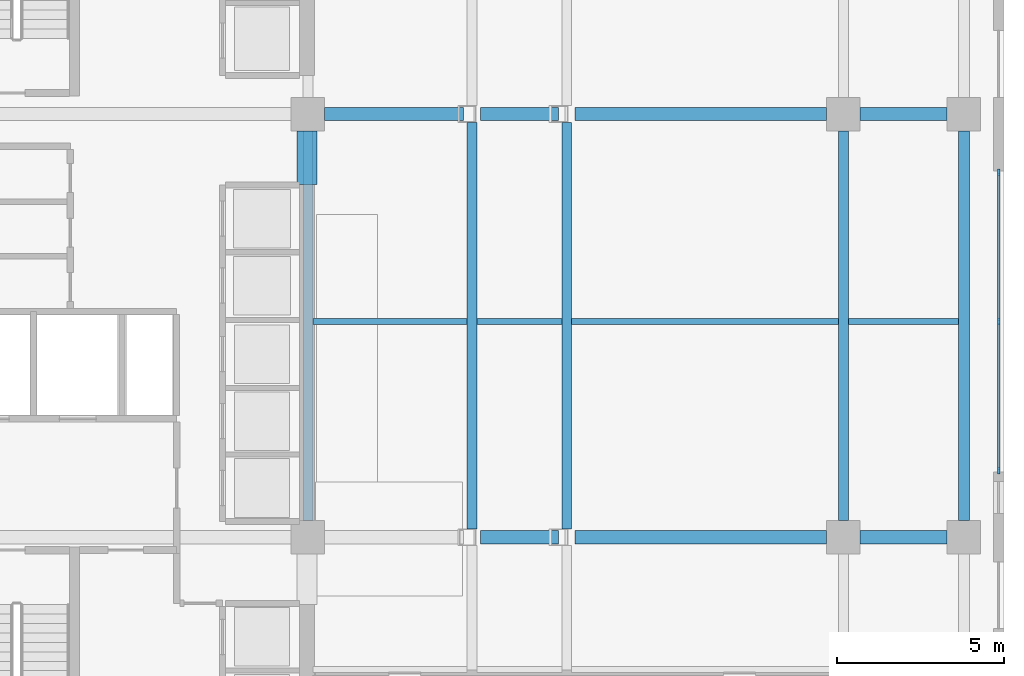
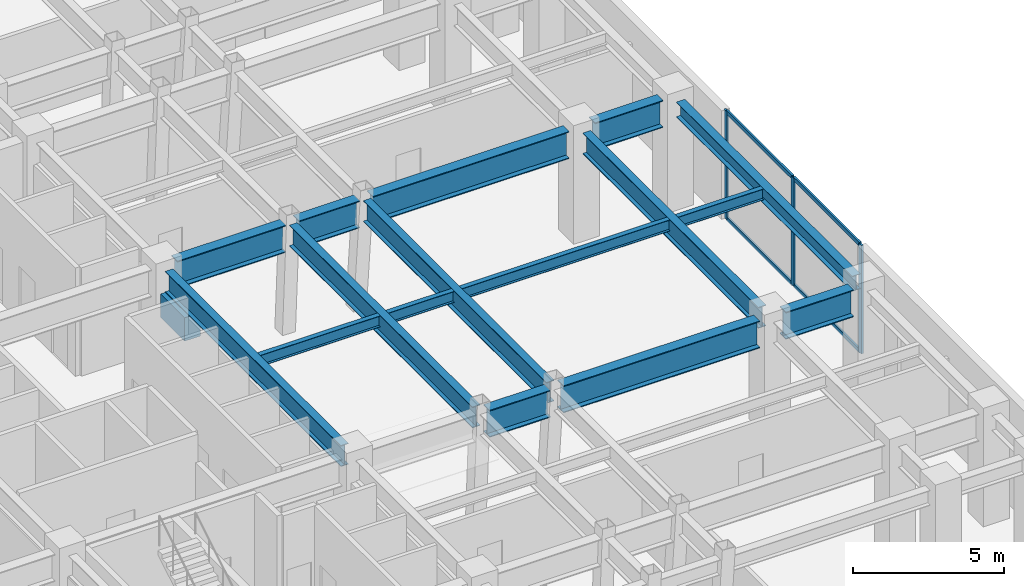
# One storey, part 5 of 13: 17 beams, 7 members, 1 element without a shape of its own.
"""IFC4 building model written with IfcOpenShell, lengths in metres."""

from ifc_helpers import new_model, si_unit, direction, frame, origin, origin_2d, place, context, subcontext, project, spatial, rectangle, i_section, extrude, material, layer, layer_set, material_profile, profile_set, type_object, element, aggregate, save


model = new_model("IFC4")

# Units and contexts
model_context = context("Model", 3, precision=1e-05, world=origin(), true_north=direction((0.0, 1.0)))
body_context = subcontext(model_context, "Body", "Model", "MODEL_VIEW")
ifc_project = project(units=[si_unit("LENGTHUNIT", "METRE"), si_unit("AREAUNIT", "SQUARE_METRE"), si_unit("VOLUMEUNIT", "CUBIC_METRE"), si_unit("PLANEANGLEUNIT", "RADIAN"), si_unit("MASSUNIT", "GRAM", prefix="KILO")], contexts=[model_context])

# Site, building, storey
site_placement = place(None, origin())
site = spatial("IfcSite", under=ifc_project, at=site_placement, CompositionType="ELEMENT")
building_placement = place(site_placement, origin())
building = spatial("IfcBuilding", under=site, at=building_placement, Name="Ochreholt Gables", CompositionType="ELEMENT")
storey_placement = place(building_placement, origin())
storey = spatial("IfcBuildingStorey", under=building, at=storey_placement, Name="L00", CompositionType="ELEMENT", Elevation=0.0)

# Beams
ifc_material_1 = material(Name="Concrete 60 MPa", Category="concrete")
ifc_material_profile_1 = material_profile(ifc_material_1, rectangle(XDim=0.60009765625, YDim=0.949951171875, at=origin_2d()), Name="RCB600X950")
ifc_profile_set_1 = profile_set([ifc_material_profile_1], Name="Concrete 60 MPa")
beam_type_1 = type_object("IfcBeamType", Name="BM-CPL-RC600", PredefinedType="LINTEL", material=ifc_profile_set_1)
beam_1_placement = place(storey_placement, frame((35.175048828125, 28.10009765625, 3.06396484375), z_axis=(0.0, 1.0, 0.0), x_axis=(-1.0, 0.0, 0.0)))
element("IfcBeam", 1, at=beam_1_placement, inside=storey, type_object=beam_type_1, Name="L00 Core Coupling Lintel CPN", PredefinedType="LINTEL", context=body_context, shape_type="SweptSolid", body=[
    extrude(rectangle(XDim=0.60009765625, YDim=0.949951171875, at=origin_2d()), origin(), (0.0, 0.0, 1.0), 1.599853515625),
])
ifc_material_2 = material(Name="Steel CSA G40.21 350W", Category="steel")
ifc_material_profile_2 = material_profile(ifc_material_2, i_section(OverallWidth=0.39990234375, OverallDepth=1.10009765625, WebThickness=0.02001953125, FlangeThickness=0.035888671875, at=origin_2d()), Name="W1100X390")
ifc_profile_set_2 = profile_set([ifc_material_profile_2], Name="Steel CSA G40.21 350W")
beam_type_2 = type_object("IfcBeamType", Name="BM-G-W1100", PredefinedType="BEAM", material=ifc_profile_set_2)
beam_2_placement = place(storey_placement, frame((40.353515625, 17.550048828125, 3.840087890625), z_axis=(1.0, 0.0, 0.0), x_axis=(0.0, 1.0, 0.0)))
element("IfcBeam", 2, at=beam_2_placement, inside=storey, type_object=beam_type_2, Name="L00 Beam BG-L00-EMEE-Y3", PredefinedType="BEAM", context=body_context, shape_type="SweptSolid", body=[
    extrude(i_section(OverallWidth=0.39990234375, OverallDepth=1.10009765625, WebThickness=0.02001953125, FlangeThickness=0.035888671875, at=origin_2d()), origin(), (0.0, 0.0, 1.0), 2.33203125),
])
beam_3_placement = place(storey_placement, frame((43.184814453125, 17.550048828125, 3.840087890625), z_axis=(1.0, 0.0, 0.0), x_axis=(0.0, 1.0, 0.0)))
element("IfcBeam", 3, at=beam_3_placement, inside=storey, type_object=beam_type_2, Name="L00 Beam BG-L00-EEE3-Y3", PredefinedType="BEAM", context=body_context, shape_type="SweptSolid", body=[
    extrude(i_section(OverallWidth=0.39990234375, OverallDepth=1.10009765625, WebThickness=0.02001953125, FlangeThickness=0.035888671875, at=origin_2d()), origin(), (0.0, 0.0, 1.0), 7.515625),
])
beam_4_placement = place(storey_placement, frame((51.69970703125, 17.550048828125, 3.840087890625), z_axis=(1.0, 0.0, 0.0), x_axis=(0.0, 1.0, 0.0)))
element("IfcBeam", 4, at=beam_4_placement, inside=storey, type_object=beam_type_2, Name="L00 Beam BG-L00-E3E4-Y3", PredefinedType="BEAM", context=body_context, shape_type="SweptSolid", body=[
    extrude(i_section(OverallWidth=0.39990234375, OverallDepth=1.10009765625, WebThickness=0.02001953125, FlangeThickness=0.035888671875, at=origin_2d()), origin(), (0.0, 0.0, 1.0), 2.6005859375),
])
beam_5_placement = place(storey_placement, frame((35.69970703125, 30.199951171875, 3.840087890625), z_axis=(1.0, 0.0, 0.0), x_axis=(0.0, 1.0, 0.0)))
element("IfcBeam", 5, at=beam_5_placement, inside=storey, type_object=beam_type_2, Name="L00 Beam BG-L00-C2EM-Y4", PredefinedType="BEAM", context=body_context, shape_type="SweptSolid", body=[
    extrude(i_section(OverallWidth=0.39990234375, OverallDepth=1.10009765625, WebThickness=0.02001953125, FlangeThickness=0.035888671875, at=origin_2d()), origin(), (0.0, 0.0, 1.0), 4.15478515625),
])
beam_6_placement = place(storey_placement, frame((40.353515625, 30.199951171875, 3.840087890625), z_axis=(1.0, 0.0, 0.0), x_axis=(0.0, 1.0, 0.0)))
element("IfcBeam", 6, at=beam_6_placement, inside=storey, type_object=beam_type_2, Name="L00 Beam BG-L00-EMEE-Y4", PredefinedType="BEAM", context=body_context, shape_type="SweptSolid", body=[
    extrude(i_section(OverallWidth=0.39990234375, OverallDepth=1.10009765625, WebThickness=0.02001953125, FlangeThickness=0.035888671875, at=origin_2d()), origin(), (0.0, 0.0, 1.0), 2.33203125),
])
beam_7_placement = place(storey_placement, frame((43.184814453125, 30.199951171875, 3.840087890625), z_axis=(1.0, 0.0, 0.0), x_axis=(0.0, 1.0, 0.0)))
element("IfcBeam", 7, at=beam_7_placement, inside=storey, type_object=beam_type_2, Name="L00 Beam BG-L00-EEE3-Y4", PredefinedType="BEAM", context=body_context, shape_type="SweptSolid", body=[
    extrude(i_section(OverallWidth=0.39990234375, OverallDepth=1.10009765625, WebThickness=0.02001953125, FlangeThickness=0.035888671875, at=origin_2d()), origin(), (0.0, 0.0, 1.0), 7.515625),
])
beam_8_placement = place(storey_placement, frame((51.69970703125, 30.199951171875, 3.840087890625), z_axis=(1.0, 0.0, 0.0), x_axis=(0.0, 1.0, 0.0)))
element("IfcBeam", 8, at=beam_8_placement, inside=storey, type_object=beam_type_2, Name="L00 Beam BG-L00-E3E4-Y4", PredefinedType="BEAM", context=body_context, shape_type="SweptSolid", body=[
    extrude(i_section(OverallWidth=0.39990234375, OverallDepth=1.10009765625, WebThickness=0.02001953125, FlangeThickness=0.035888671875, at=origin_2d()), origin(), (0.0, 0.0, 1.0), 2.6005859375),
])
ifc_material_profile_3 = material_profile(ifc_material_2, i_section(OverallWidth=0.2939453125, OverallDepth=0.85107421875, WebThickness=0.01611328125, FlangeThickness=0.02685546875, at=origin_2d()), Name="W840X226")
ifc_profile_set_3 = profile_set([ifc_material_profile_3], Name="Steel CSA G40.21 350W")
beam_type_3 = type_object("IfcBeamType", Name="BM-G-W840", PredefinedType="BEAM", material=ifc_profile_set_3)
beam_9_placement = place(storey_placement, frame((35.199951171875, 18.049560546875, 3.964599609375), z_axis=(0.0, 1.0, 0.0), x_axis=(-1.0, 0.0, 0.0)))
element("IfcBeam", 9, at=beam_9_placement, inside=storey, type_object=beam_type_3, Name="L00 Beam BG-L00-C2-Y3Y4", PredefinedType="BEAM", context=body_context, shape_type="SweptSolid", body=[
    extrude(i_section(OverallWidth=0.2939453125, OverallDepth=0.85107421875, WebThickness=0.01611328125, FlangeThickness=0.02685546875, at=origin_2d()), origin(), (0.0, 0.0, 1.0), 11.65087890625),
])
for number, where, z_axis, x_axis, name in (
    (10, (40.10400390625, 17.799560546875, 3.964599609375), (0.0, 1.0, 0.0), (-1.0, 0.0, 0.0), "L00 Beam BG-L00-EM-Y3Y4"),
    (11, (42.935302734375, 17.799560546875, 3.964599609375), (0.0, 1.0, 0.0), (-1.0, 0.0, 0.0), "L00 Beam BG-L00-EE-Y3Y4"),
):
    element("IfcBeam", number, at=place(storey_placement, frame(where, z_axis=z_axis, x_axis=x_axis)), inside=storey, type_object=beam_type_3, Name=name, PredefinedType="BEAM", context=body_context, shape_type="SweptSolid", body=[
        extrude(i_section(OverallWidth=0.2939453125, OverallDepth=0.85107421875, WebThickness=0.01611328125, FlangeThickness=0.02685546875, at=origin_2d()), origin(), (0.0, 0.0, 1.0), 12.15087890625),
    ])
beam_10_placement = place(storey_placement, frame((51.199951171875, 18.049560546875, 3.964599609375), z_axis=(0.0, 1.0, 0.0), x_axis=(-1.0, 0.0, 0.0)))
element("IfcBeam", 12, at=beam_10_placement, inside=storey, type_object=beam_type_3, Name="L00 Beam BG-L00-E3-Y3Y4", PredefinedType="BEAM", context=body_context, shape_type="SweptSolid", body=[
    extrude(i_section(OverallWidth=0.2939453125, OverallDepth=0.85107421875, WebThickness=0.01611328125, FlangeThickness=0.02685546875, at=origin_2d()), origin(), (0.0, 0.0, 1.0), 11.65087890625),
])
ifc_material_profile_4 = material_profile(ifc_material_2, i_section(OverallWidth=0.18994140625, OverallDepth=0.45703125, WebThickness=0.009033203125, FlangeThickness=0.014404296875, at=origin_2d()), Name="W460X74")
ifc_profile_set_4 = profile_set([ifc_material_profile_4], Name="Steel CSA G40.21 350W")
beam_type_4 = type_object("IfcBeamType", Name="BM-J-W460B", PredefinedType="JOIST", material=ifc_profile_set_4)
beam_11_placement = place(storey_placement, frame((35.3466796875, 24.0, 4.16162109375), z_axis=(1.0, 0.0, 0.0), x_axis=(0.0, 1.0, 0.0)))
element("IfcBeam", 13, at=beam_11_placement, inside=storey, type_object=beam_type_4, Name="L00 Beam BJ-L00-J2-C2EM", PredefinedType="JOIST", context=body_context, shape_type="SweptSolid", body=[
    extrude(i_section(OverallWidth=0.18994140625, OverallDepth=0.45703125, WebThickness=0.009033203125, FlangeThickness=0.014404296875, at=origin_2d()), origin(), (0.0, 0.0, 1.0), 4.61083984375),
])
beam_12_placement = place(storey_placement, frame((40.25048828125, 24.0, 4.16162109375), z_axis=(1.0, 0.0, 0.0), x_axis=(0.0, 1.0, 0.0)))
element("IfcBeam", 14, at=beam_12_placement, inside=storey, type_object=beam_type_4, Name="L00 Beam BJ-L00-J2-EMEE", PredefinedType="JOIST", context=body_context, shape_type="SweptSolid", body=[
    extrude(i_section(OverallWidth=0.18994140625, OverallDepth=0.45703125, WebThickness=0.009033203125, FlangeThickness=0.014404296875, at=origin_2d()), origin(), (0.0, 0.0, 1.0), 2.5380859375),
])
beam_13_placement = place(storey_placement, frame((43.081787109375, 24.0, 4.16162109375), z_axis=(1.0, 0.0, 0.0), x_axis=(0.0, 1.0, 0.0)))
element("IfcBeam", 15, at=beam_13_placement, inside=storey, type_object=beam_type_4, Name="L00 Beam BJ-L00-J2-EEE3", PredefinedType="JOIST", context=body_context, shape_type="SweptSolid", body=[
    extrude(i_section(OverallWidth=0.18994140625, OverallDepth=0.45703125, WebThickness=0.009033203125, FlangeThickness=0.014404296875, at=origin_2d()), origin(), (0.0, 0.0, 1.0), 7.9716796875),
])
beam_14_placement = place(storey_placement, frame((51.3466796875, 24.0, 4.16162109375), z_axis=(1.0, 0.0, 0.0), x_axis=(0.0, 1.0, 0.0)))
element("IfcBeam", 16, at=beam_14_placement, inside=storey, type_object=beam_type_4, Name="L00 Beam BJ-L00-J2-E3E4", PredefinedType="JOIST", context=body_context, shape_type="SweptSolid", body=[
    extrude(i_section(OverallWidth=0.18994140625, OverallDepth=0.45703125, WebThickness=0.009033203125, FlangeThickness=0.014404296875, at=origin_2d()), origin(), (0.0, 0.0, 1.0), 3.291748046875),
])
ifc_material_profile_5 = material_profile(ifc_material_2, i_section(OverallWidth=0.323974609375, OverallDepth=0.611083984375, WebThickness=0.0126953125, FlangeThickness=0.01904296875, at=origin_2d()), Name="W610X155")
ifc_profile_set_5 = profile_set([ifc_material_profile_5], Name="Steel CSA G40.21 350W")
beam_type_5 = type_object("IfcBeamType", Name="BM-SP-W610", PredefinedType="SPANDREL", material=ifc_profile_set_5)
beam_15_placement = place(storey_placement, frame((54.800048828125, 18.049560546875, 4.08447265625), z_axis=(0.0, 1.0, 0.0), x_axis=(-1.0, 0.0, 0.0)))
element("IfcBeam", 17, at=beam_15_placement, inside=storey, type_object=beam_type_5, Name="L00 Beam BG-L00-E4-Y3Y4", PredefinedType="SPANDREL", context=body_context, shape_type="SweptSolid", body=[
    extrude(i_section(OverallWidth=0.323974609375, OverallDepth=0.611083984375, WebThickness=0.0126953125, FlangeThickness=0.01904296875, at=origin_2d()), origin(), (0.0, 0.0, 1.0), 11.65087890625),
])

# Curtain wall, members
ifc_material_3 = material(Name="Unitised Aluminium and Triple Glazing", Category="aluminium")
ifc_layer = layer(ifc_material_3, 0.199951171875, Name="Unitised Aluminium and Triple Glazing")
ifc_layer_set = layer_set([ifc_layer], Name="Unitised Aluminium and Triple Glazing")
curtain_wall_type = type_object("IfcCurtainWallType", Name="CW-SYS1", PredefinedType="NOTDEFINED", material=ifc_layer_set)
curtain_wall_placement = place(storey_placement, origin())
curtain_wall = element("IfcCurtainWall", 18, at=curtain_wall_placement, inside=storey, type_object=curtain_wall_type, Name="L00 Main Lobby Curtain Wall", PredefinedType="NOTDEFINED")
ifc_material_4 = material(Name="Anodized Aluminium 6063-T6", Category="aluminium")
ifc_material_profile_6 = material_profile(ifc_material_4, rectangle(XDim=0.074951171875, YDim=0.199951171875, at=origin_2d()), Name="CWM75X200")
ifc_profile_set_6 = profile_set([ifc_material_profile_6], Name="Anodized Aluminium 6063-T6")
member_type_1 = type_object("IfcMemberType", Name="CW-MUL-A", PredefinedType="MULLION", material=ifc_profile_set_6)
member_1_placement = place(storey_placement, frame((55.840087890625, 19.53759765625, 0.0), z_axis=(0.0, 0.0, 1.0), x_axis=(-1.0, 0.0, 0.0)))
member_1 = element("IfcMember", 19, at=member_1_placement, type_object=member_type_1, Name="CW-1 mullion 1", PredefinedType="MULLION", context=body_context, shape_type="SweptSolid", body=[
    extrude(rectangle(XDim=0.074951171875, YDim=0.199951171875, at=origin_2d()), origin(), (0.0, 0.0, 1.0), 4.389892578125),
])
member_2_placement = place(storey_placement, frame((55.840087890625, 24.0, 0.0), z_axis=(0.0, 0.0, 1.0), x_axis=(-1.0, 0.0, 0.0)))
member_2 = element("IfcMember", 20, at=member_2_placement, type_object=member_type_1, Name="CW-1 mullion 2", PredefinedType="MULLION", context=body_context, shape_type="SweptSolid", body=[
    extrude(rectangle(XDim=0.074951171875, YDim=0.199951171875, at=origin_2d()), origin(), (0.0, 0.0, 1.0), 4.389892578125),
])
member_3_placement = place(storey_placement, frame((55.840087890625, 28.46240234375, 0.0), z_axis=(0.0, 0.0, 1.0), x_axis=(-1.0, 0.0, 0.0)))
member_3 = element("IfcMember", 21, at=member_3_placement, type_object=member_type_1, Name="CW-1 mullion 3", PredefinedType="MULLION", context=body_context, shape_type="SweptSolid", body=[
    extrude(rectangle(XDim=0.074951171875, YDim=0.199951171875, at=origin_2d()), origin(), (0.0, 0.0, 1.0), 4.389892578125),
])
ifc_material_profile_7 = material_profile(ifc_material_4, rectangle(XDim=0.074951171875, YDim=0.159912109375, at=origin_2d()), Name="CWT75X160")
ifc_profile_set_7 = profile_set([ifc_material_profile_7], Name="Anodized Aluminium 6063-T6")
member_type_2 = type_object("IfcMemberType", Name="CW-TRN-A", PredefinedType="USERDEFINED", material=ifc_profile_set_7)
member_4_placement = place(storey_placement, frame((55.840087890625, 19.574951171875, 0.03759765625), z_axis=(0.0, 1.0, 0.0), x_axis=(-1.0, 0.0, 0.0)))
member_4 = element("IfcMember", 22, at=member_4_placement, type_object=member_type_2, Name="CW-1 transom 1.1", ObjectType="TRANSOM", PredefinedType="USERDEFINED", context=body_context, shape_type="SweptSolid", body=[
    extrude(rectangle(XDim=0.074951171875, YDim=0.159912109375, at=origin_2d()), origin(), (0.0, 0.0, 1.0), 4.387451171875),
])
member_5_placement = place(storey_placement, frame((55.840087890625, 19.574951171875, 4.3525390625), z_axis=(0.0, 1.0, 0.0), x_axis=(-1.0, 0.0, 0.0)))
member_5 = element("IfcMember", 23, at=member_5_placement, type_object=member_type_2, Name="CW-1 transom 1.2", ObjectType="TRANSOM", PredefinedType="USERDEFINED", context=body_context, shape_type="SweptSolid", body=[
    extrude(rectangle(XDim=0.074951171875, YDim=0.159912109375, at=origin_2d()), origin(), (0.0, 0.0, 1.0), 4.387451171875),
])
member_6_placement = place(storey_placement, frame((55.840087890625, 24.03759765625, 0.03759765625), z_axis=(0.0, 1.0, 0.0), x_axis=(-1.0, 0.0, 0.0)))
member_6 = element("IfcMember", 24, at=member_6_placement, type_object=member_type_2, Name="CW-1 transom 2.1", ObjectType="TRANSOM", PredefinedType="USERDEFINED", context=body_context, shape_type="SweptSolid", body=[
    extrude(rectangle(XDim=0.074951171875, YDim=0.159912109375, at=origin_2d()), origin(), (0.0, 0.0, 1.0), 4.387451171875),
])
member_7_placement = place(storey_placement, frame((55.840087890625, 24.03759765625, 4.3525390625), z_axis=(0.0, 1.0, 0.0), x_axis=(-1.0, 0.0, 0.0)))
member_7 = element("IfcMember", 25, at=member_7_placement, type_object=member_type_2, Name="CW-1 transom 2.2", ObjectType="TRANSOM", PredefinedType="USERDEFINED", context=body_context, shape_type="SweptSolid", body=[
    extrude(rectangle(XDim=0.074951171875, YDim=0.159912109375, at=origin_2d()), origin(), (0.0, 0.0, 1.0), 4.387451171875),
])
aggregate(curtain_wall, [member_1, member_2, member_3, member_4, member_5, member_6, member_7])

save(model, "model.ifc")
